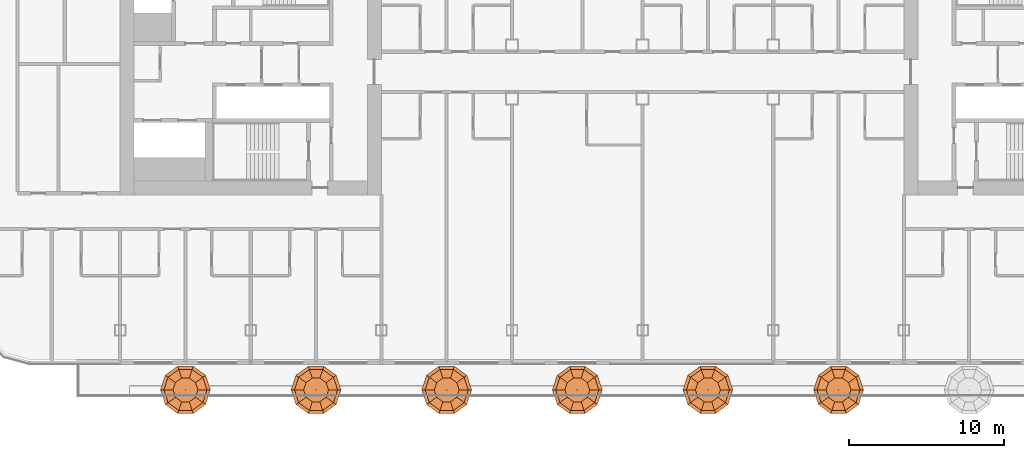
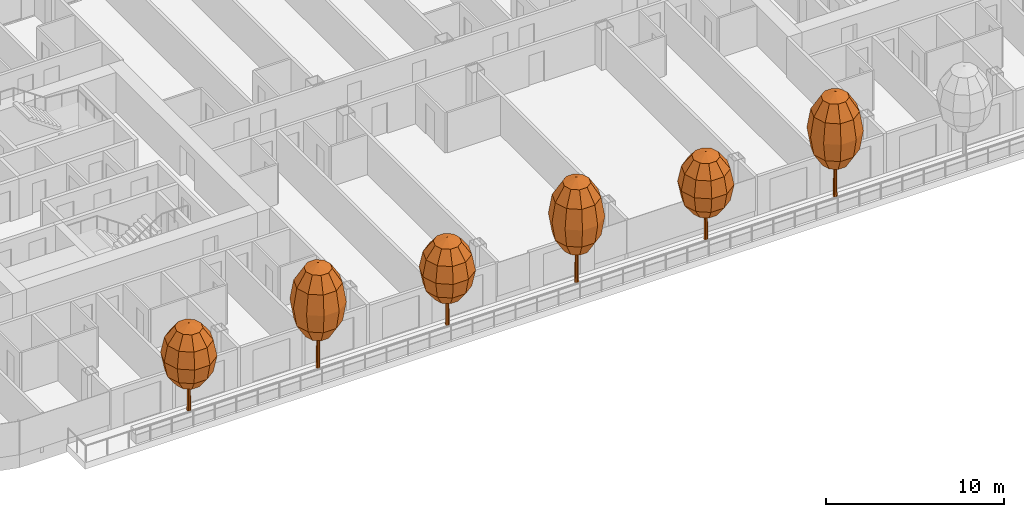
# One storey, part 30 of 32: 6 geographic elements.
"""IFC4 building model written with IfcOpenShell, lengths in metres."""

from ifc_helpers import new_model, si_unit, direction, frame, origin, place, context, subcontext, project, spatial, triangles, material, type_object, element, save


model = new_model("IFC4")

# Units and contexts
model_context = context("Model", 3, precision=1e-05, world=origin(), true_north=direction((0.0, 1.0)))
body_context = subcontext(model_context, "Body", "Model", "MODEL_VIEW")
ifc_project = project(units=[si_unit("LENGTHUNIT", "METRE"), si_unit("AREAUNIT", "SQUARE_METRE"), si_unit("VOLUMEUNIT", "CUBIC_METRE"), si_unit("PLANEANGLEUNIT", "RADIAN"), si_unit("MASSUNIT", "GRAM", prefix="KILO")], contexts=[model_context])

# Site, building, storey
site_placement = place(None, origin())
site = spatial("IfcSite", under=ifc_project, at=site_placement, CompositionType="ELEMENT")
building_placement = place(site_placement, origin())
building = spatial("IfcBuilding", under=site, at=building_placement, Name="Hakoniwa Tower and Hamabe Station Hall", CompositionType="ELEMENT")
storey_placement = place(building_placement, frame((0.0, 0.0, 150.199951171875)))
storey = spatial("IfcBuildingStorey", under=building, at=storey_placement, Name="L42", CompositionType="ELEMENT", Elevation=150.199951171875)

# Geographic elements
ifc_material_1 = material(Name="Tree foliage")
geographic_element_type_1 = type_object("IfcGeographicElementType", Name="Japanese maple 7.2 m", PredefinedType="USERDEFINED", material=ifc_material_1)
geographic_element_1_placement = place(storey_placement, frame((-21.0, -20.949951171875, 0.900146484375)))
element("IfcGeographicElement", 1, at=geographic_element_1_placement, inside=storey, type_object=geographic_element_type_1, Name="Japanese maple 7-2 m", ObjectType="TREE", PredefinedType="USERDEFINED", context=body_context, shape_type="Tessellation", body=[
    triangles([(0.125, 0.0, 0.0), (0.08837890625, 0.08837890625, 0.0), (0.0, 0.125, 0.0), (-0.08837890625, 0.08837890625, 0.0), (-0.125, 0.0, 0.0), (-0.08837890625, -0.08837890625, 0.0), (0.0, -0.125, 0.0), (0.08837890625, -0.08837890625, 0.0), (0.074951171875, 0.0, 4.348876953125), (0.052978515625, 0.052978515625, 4.348876953125), (0.0, 0.074951171875, 4.348876953125), (-0.052978515625, 0.052978515625, 4.348876953125), (-0.074951171875, 0.0, 4.348876953125), (-0.052978515625, -0.052978515625, 4.348876953125), (0.0, -0.074951171875, 4.348876953125), (0.052978515625, -0.052978515625, 4.348876953125), (0.0, 0.0, 0.0), (0.0, 0.0, 4.348876953125)], [[1, 2, 10], [1, 10, 9], [17, 2, 1], [18, 9, 10], [2, 3, 11], [2, 11, 10], [17, 3, 2], [18, 10, 11], [3, 4, 12], [3, 12, 11], [17, 4, 3], [18, 11, 12], [4, 5, 13], [4, 13, 12], [17, 5, 4], [18, 12, 13], [5, 6, 14], [5, 14, 13], [17, 6, 5], [18, 13, 14], [6, 7, 15], [6, 15, 14], [17, 7, 6], [18, 14, 15], [7, 8, 16], [7, 16, 15], [17, 8, 7], [18, 15, 16], [8, 1, 9], [8, 9, 16], [17, 1, 8], [18, 16, 9]], closed=True),
    triangles([(0.0, 0.0, 2.015869140625), (0.800048828125, 0.0, 2.36328125), (0.647216796875, 0.47021484375, 2.36328125), (0.247314453125, 0.7607421875, 2.36328125), (-0.247314453125, 0.7607421875, 2.36328125), (-0.647216796875, 0.47021484375, 2.36328125), (-0.800048828125, 0.0, 2.36328125), (-0.647216796875, -0.47021484375, 2.36328125), (-0.247314453125, -0.7607421875, 2.36328125), (0.247314453125, -0.7607421875, 2.36328125), (0.647216796875, -0.47021484375, 2.36328125), (1.385498046875, 0.0, 3.31201171875), (1.12109375, 0.814453125, 3.31201171875), (0.42822265625, 1.31787109375, 3.31201171875), (-0.42822265625, 1.31787109375, 3.31201171875), (-1.12109375, 0.814453125, 3.31201171875), (-1.385498046875, 0.0, 3.31201171875), (-1.12109375, -0.814453125, 3.31201171875), (-0.42822265625, -1.31787109375, 3.31201171875), (0.42822265625, -1.31787109375, 3.31201171875), (1.12109375, -0.814453125, 3.31201171875), (1.60009765625, 0.0, 4.60791015625), (1.29443359375, 0.9404296875, 4.60791015625), (0.494384765625, 1.521728515625, 4.60791015625), (-0.494384765625, 1.521728515625, 4.60791015625), (-1.29443359375, 0.9404296875, 4.60791015625), (-1.60009765625, 0.0, 4.60791015625), (-1.29443359375, -0.9404296875, 4.60791015625), (-0.494384765625, -1.521728515625, 4.60791015625), (0.494384765625, -1.521728515625, 4.60791015625), (1.29443359375, -0.9404296875, 4.60791015625), (1.385498046875, 0.0, 5.904052734375), (1.12109375, 0.814453125, 5.904052734375), (0.42822265625, 1.31787109375, 5.904052734375), (-0.42822265625, 1.31787109375, 5.904052734375), (-1.12109375, 0.814453125, 5.904052734375), (-1.385498046875, 0.0, 5.904052734375), (-1.12109375, -0.814453125, 5.904052734375), (-0.42822265625, -1.31787109375, 5.904052734375), (0.42822265625, -1.31787109375, 5.904052734375), (1.12109375, -0.814453125, 5.904052734375), (0.800048828125, 0.0, 6.852783203125), (0.647216796875, 0.47021484375, 6.852783203125), (0.247314453125, 0.7607421875, 6.852783203125), (-0.247314453125, 0.7607421875, 6.852783203125), (-0.647216796875, 0.47021484375, 6.852783203125), (-0.800048828125, 0.0, 6.852783203125), (-0.647216796875, -0.47021484375, 6.852783203125), (-0.247314453125, -0.7607421875, 6.852783203125), (0.247314453125, -0.7607421875, 6.852783203125), (0.647216796875, -0.47021484375, 6.852783203125), (0.0, 0.0, 7.199951171875)], [[1, 3, 2], [1, 4, 3], [1, 5, 4], [1, 6, 5], [1, 7, 6], [1, 8, 7], [1, 9, 8], [1, 10, 9], [1, 11, 10], [1, 2, 11], [2, 3, 13], [2, 13, 12], [3, 4, 14], [3, 14, 13], [4, 5, 15], [4, 15, 14], [5, 6, 16], [5, 16, 15], [6, 7, 17], [6, 17, 16], [7, 8, 18], [7, 18, 17], [8, 9, 19], [8, 19, 18], [9, 10, 20], [9, 20, 19], [10, 11, 21], [10, 21, 20], [11, 2, 12], [11, 12, 21], [12, 13, 23], [12, 23, 22], [13, 14, 24], [13, 24, 23], [14, 15, 25], [14, 25, 24], [15, 16, 26], [15, 26, 25], [16, 17, 27], [16, 27, 26], [17, 18, 28], [17, 28, 27], [18, 19, 29], [18, 29, 28], [19, 20, 30], [19, 30, 29], [20, 21, 31], [20, 31, 30], [21, 12, 22], [21, 22, 31], [22, 23, 33], [22, 33, 32], [23, 24, 34], [23, 34, 33], [24, 25, 35], [24, 35, 34], [25, 26, 36], [25, 36, 35], [26, 27, 37], [26, 37, 36], [27, 28, 38], [27, 38, 37], [28, 29, 39], [28, 39, 38], [29, 30, 40], [29, 40, 39], [30, 31, 41], [30, 41, 40], [31, 22, 32], [31, 32, 41], [32, 33, 43], [32, 43, 42], [33, 34, 44], [33, 44, 43], [34, 35, 45], [34, 45, 44], [35, 36, 46], [35, 46, 45], [36, 37, 47], [36, 47, 46], [37, 38, 48], [37, 48, 47], [38, 39, 49], [38, 49, 48], [39, 40, 50], [39, 50, 49], [40, 41, 51], [40, 51, 50], [41, 32, 42], [41, 42, 51], [52, 42, 43], [52, 43, 44], [52, 44, 45], [52, 45, 46], [52, 46, 47], [52, 47, 48], [52, 48, 49], [52, 49, 50], [52, 50, 51], [52, 51, 42]], closed=True),
])
geographic_element_2_placement = place(storey_placement, frame((-4.199951171875, -20.949951171875, 0.900146484375)))
element("IfcGeographicElement", 2, at=geographic_element_2_placement, inside=storey, type_object=geographic_element_type_1, Name="Japanese maple 7-2 m", ObjectType="TREE", PredefinedType="USERDEFINED", context=body_context, shape_type="Tessellation", body=[
    triangles([(0.125, 0.0, 0.0), (0.08837890625, 0.08837890625, 0.0), (0.0, 0.125, 0.0), (-0.08837890625, 0.08837890625, 0.0), (-0.125, 0.0, 0.0), (-0.08837890625, -0.08837890625, 0.0), (0.0, -0.125, 0.0), (0.08837890625, -0.08837890625, 0.0), (0.074951171875, 0.0, 4.348876953125), (0.052978515625, 0.052978515625, 4.348876953125), (0.0, 0.074951171875, 4.348876953125), (-0.052978515625, 0.052978515625, 4.348876953125), (-0.074951171875, 0.0, 4.348876953125), (-0.052978515625, -0.052978515625, 4.348876953125), (0.0, -0.074951171875, 4.348876953125), (0.052978515625, -0.052978515625, 4.348876953125), (0.0, 0.0, 0.0), (0.0, 0.0, 4.348876953125)], [[1, 2, 10], [1, 10, 9], [17, 2, 1], [18, 9, 10], [2, 3, 11], [2, 11, 10], [17, 3, 2], [18, 10, 11], [3, 4, 12], [3, 12, 11], [17, 4, 3], [18, 11, 12], [4, 5, 13], [4, 13, 12], [17, 5, 4], [18, 12, 13], [5, 6, 14], [5, 14, 13], [17, 6, 5], [18, 13, 14], [6, 7, 15], [6, 15, 14], [17, 7, 6], [18, 14, 15], [7, 8, 16], [7, 16, 15], [17, 8, 7], [18, 15, 16], [8, 1, 9], [8, 9, 16], [17, 1, 8], [18, 16, 9]], closed=True),
    triangles([(0.0, 0.0, 2.015869140625), (0.800048828125, 0.0, 2.36328125), (0.647216796875, 0.47021484375, 2.36328125), (0.247314453125, 0.7607421875, 2.36328125), (-0.247314453125, 0.7607421875, 2.36328125), (-0.647216796875, 0.47021484375, 2.36328125), (-0.800048828125, 0.0, 2.36328125), (-0.647216796875, -0.47021484375, 2.36328125), (-0.247314453125, -0.7607421875, 2.36328125), (0.247314453125, -0.7607421875, 2.36328125), (0.647216796875, -0.47021484375, 2.36328125), (1.385498046875, 0.0, 3.31201171875), (1.12109375, 0.814453125, 3.31201171875), (0.42822265625, 1.31787109375, 3.31201171875), (-0.42822265625, 1.31787109375, 3.31201171875), (-1.12109375, 0.814453125, 3.31201171875), (-1.385498046875, 0.0, 3.31201171875), (-1.12109375, -0.814453125, 3.31201171875), (-0.42822265625, -1.31787109375, 3.31201171875), (0.42822265625, -1.31787109375, 3.31201171875), (1.12109375, -0.814453125, 3.31201171875), (1.60009765625, 0.0, 4.60791015625), (1.29443359375, 0.9404296875, 4.60791015625), (0.494384765625, 1.521728515625, 4.60791015625), (-0.494384765625, 1.521728515625, 4.60791015625), (-1.29443359375, 0.9404296875, 4.60791015625), (-1.60009765625, 0.0, 4.60791015625), (-1.29443359375, -0.9404296875, 4.60791015625), (-0.494384765625, -1.521728515625, 4.60791015625), (0.494384765625, -1.521728515625, 4.60791015625), (1.29443359375, -0.9404296875, 4.60791015625), (1.385498046875, 0.0, 5.904052734375), (1.12109375, 0.814453125, 5.904052734375), (0.42822265625, 1.31787109375, 5.904052734375), (-0.42822265625, 1.31787109375, 5.904052734375), (-1.12109375, 0.814453125, 5.904052734375), (-1.385498046875, 0.0, 5.904052734375), (-1.12109375, -0.814453125, 5.904052734375), (-0.42822265625, -1.31787109375, 5.904052734375), (0.42822265625, -1.31787109375, 5.904052734375), (1.12109375, -0.814453125, 5.904052734375), (0.800048828125, 0.0, 6.852783203125), (0.647216796875, 0.47021484375, 6.852783203125), (0.247314453125, 0.7607421875, 6.852783203125), (-0.247314453125, 0.7607421875, 6.852783203125), (-0.647216796875, 0.47021484375, 6.852783203125), (-0.800048828125, 0.0, 6.852783203125), (-0.647216796875, -0.47021484375, 6.852783203125), (-0.247314453125, -0.7607421875, 6.852783203125), (0.247314453125, -0.7607421875, 6.852783203125), (0.647216796875, -0.47021484375, 6.852783203125), (0.0, 0.0, 7.199951171875)], [[1, 3, 2], [1, 4, 3], [1, 5, 4], [1, 6, 5], [1, 7, 6], [1, 8, 7], [1, 9, 8], [1, 10, 9], [1, 11, 10], [1, 2, 11], [2, 3, 13], [2, 13, 12], [3, 4, 14], [3, 14, 13], [4, 5, 15], [4, 15, 14], [5, 6, 16], [5, 16, 15], [6, 7, 17], [6, 17, 16], [7, 8, 18], [7, 18, 17], [8, 9, 19], [8, 19, 18], [9, 10, 20], [9, 20, 19], [10, 11, 21], [10, 21, 20], [11, 2, 12], [11, 12, 21], [12, 13, 23], [12, 23, 22], [13, 14, 24], [13, 24, 23], [14, 15, 25], [14, 25, 24], [15, 16, 26], [15, 26, 25], [16, 17, 27], [16, 27, 26], [17, 18, 28], [17, 28, 27], [18, 19, 29], [18, 29, 28], [19, 20, 30], [19, 30, 29], [20, 21, 31], [20, 31, 30], [21, 12, 22], [21, 22, 31], [22, 23, 33], [22, 33, 32], [23, 24, 34], [23, 34, 33], [24, 25, 35], [24, 35, 34], [25, 26, 36], [25, 36, 35], [26, 27, 37], [26, 37, 36], [27, 28, 38], [27, 38, 37], [28, 29, 39], [28, 39, 38], [29, 30, 40], [29, 40, 39], [30, 31, 41], [30, 41, 40], [31, 22, 32], [31, 32, 41], [32, 33, 43], [32, 43, 42], [33, 34, 44], [33, 44, 43], [34, 35, 45], [34, 45, 44], [35, 36, 46], [35, 46, 45], [36, 37, 47], [36, 47, 46], [37, 38, 48], [37, 48, 47], [38, 39, 49], [38, 49, 48], [39, 40, 50], [39, 50, 49], [40, 41, 51], [40, 51, 50], [41, 32, 42], [41, 42, 51], [52, 42, 43], [52, 43, 44], [52, 44, 45], [52, 45, 46], [52, 46, 47], [52, 47, 48], [52, 48, 49], [52, 49, 50], [52, 50, 51], [52, 51, 42]], closed=True),
])
geographic_element_3_placement = place(storey_placement, frame((12.60009765625, -20.949951171875, 0.900146484375)))
element("IfcGeographicElement", 3, at=geographic_element_3_placement, inside=storey, type_object=geographic_element_type_1, Name="Japanese maple 7-2 m", ObjectType="TREE", PredefinedType="USERDEFINED", context=body_context, shape_type="Tessellation", body=[
    triangles([(0.125, 0.0, 0.0), (0.08837890625, 0.08837890625, 0.0), (0.0, 0.125, 0.0), (-0.08837890625, 0.08837890625, 0.0), (-0.125, 0.0, 0.0), (-0.08837890625, -0.08837890625, 0.0), (0.0, -0.125, 0.0), (0.08837890625, -0.08837890625, 0.0), (0.074951171875, 0.0, 4.348876953125), (0.052978515625, 0.052978515625, 4.348876953125), (0.0, 0.074951171875, 4.348876953125), (-0.052978515625, 0.052978515625, 4.348876953125), (-0.074951171875, 0.0, 4.348876953125), (-0.052978515625, -0.052978515625, 4.348876953125), (0.0, -0.074951171875, 4.348876953125), (0.052978515625, -0.052978515625, 4.348876953125), (0.0, 0.0, 0.0), (0.0, 0.0, 4.348876953125)], [[1, 2, 10], [1, 10, 9], [17, 2, 1], [18, 9, 10], [2, 3, 11], [2, 11, 10], [17, 3, 2], [18, 10, 11], [3, 4, 12], [3, 12, 11], [17, 4, 3], [18, 11, 12], [4, 5, 13], [4, 13, 12], [17, 5, 4], [18, 12, 13], [5, 6, 14], [5, 14, 13], [17, 6, 5], [18, 13, 14], [6, 7, 15], [6, 15, 14], [17, 7, 6], [18, 14, 15], [7, 8, 16], [7, 16, 15], [17, 8, 7], [18, 15, 16], [8, 1, 9], [8, 9, 16], [17, 1, 8], [18, 16, 9]], closed=True),
    triangles([(0.0, 0.0, 2.015869140625), (0.800048828125, 0.0, 2.36328125), (0.647216796875, 0.47021484375, 2.36328125), (0.247314453125, 0.7607421875, 2.36328125), (-0.247314453125, 0.7607421875, 2.36328125), (-0.647216796875, 0.47021484375, 2.36328125), (-0.800048828125, 0.0, 2.36328125), (-0.647216796875, -0.47021484375, 2.36328125), (-0.247314453125, -0.7607421875, 2.36328125), (0.247314453125, -0.7607421875, 2.36328125), (0.647216796875, -0.47021484375, 2.36328125), (1.385498046875, 0.0, 3.31201171875), (1.12109375, 0.814453125, 3.31201171875), (0.42822265625, 1.31787109375, 3.31201171875), (-0.42822265625, 1.31787109375, 3.31201171875), (-1.12109375, 0.814453125, 3.31201171875), (-1.385498046875, 0.0, 3.31201171875), (-1.12109375, -0.814453125, 3.31201171875), (-0.42822265625, -1.31787109375, 3.31201171875), (0.42822265625, -1.31787109375, 3.31201171875), (1.12109375, -0.814453125, 3.31201171875), (1.60009765625, 0.0, 4.60791015625), (1.29443359375, 0.9404296875, 4.60791015625), (0.494384765625, 1.521728515625, 4.60791015625), (-0.494384765625, 1.521728515625, 4.60791015625), (-1.29443359375, 0.9404296875, 4.60791015625), (-1.60009765625, 0.0, 4.60791015625), (-1.29443359375, -0.9404296875, 4.60791015625), (-0.494384765625, -1.521728515625, 4.60791015625), (0.494384765625, -1.521728515625, 4.60791015625), (1.29443359375, -0.9404296875, 4.60791015625), (1.385498046875, 0.0, 5.904052734375), (1.12109375, 0.814453125, 5.904052734375), (0.42822265625, 1.31787109375, 5.904052734375), (-0.42822265625, 1.31787109375, 5.904052734375), (-1.12109375, 0.814453125, 5.904052734375), (-1.385498046875, 0.0, 5.904052734375), (-1.12109375, -0.814453125, 5.904052734375), (-0.42822265625, -1.31787109375, 5.904052734375), (0.42822265625, -1.31787109375, 5.904052734375), (1.12109375, -0.814453125, 5.904052734375), (0.800048828125, 0.0, 6.852783203125), (0.647216796875, 0.47021484375, 6.852783203125), (0.247314453125, 0.7607421875, 6.852783203125), (-0.247314453125, 0.7607421875, 6.852783203125), (-0.647216796875, 0.47021484375, 6.852783203125), (-0.800048828125, 0.0, 6.852783203125), (-0.647216796875, -0.47021484375, 6.852783203125), (-0.247314453125, -0.7607421875, 6.852783203125), (0.247314453125, -0.7607421875, 6.852783203125), (0.647216796875, -0.47021484375, 6.852783203125), (0.0, 0.0, 7.199951171875)], [[1, 3, 2], [1, 4, 3], [1, 5, 4], [1, 6, 5], [1, 7, 6], [1, 8, 7], [1, 9, 8], [1, 10, 9], [1, 11, 10], [1, 2, 11], [2, 3, 13], [2, 13, 12], [3, 4, 14], [3, 14, 13], [4, 5, 15], [4, 15, 14], [5, 6, 16], [5, 16, 15], [6, 7, 17], [6, 17, 16], [7, 8, 18], [7, 18, 17], [8, 9, 19], [8, 19, 18], [9, 10, 20], [9, 20, 19], [10, 11, 21], [10, 21, 20], [11, 2, 12], [11, 12, 21], [12, 13, 23], [12, 23, 22], [13, 14, 24], [13, 24, 23], [14, 15, 25], [14, 25, 24], [15, 16, 26], [15, 26, 25], [16, 17, 27], [16, 27, 26], [17, 18, 28], [17, 28, 27], [18, 19, 29], [18, 29, 28], [19, 20, 30], [19, 30, 29], [20, 21, 31], [20, 31, 30], [21, 12, 22], [21, 22, 31], [22, 23, 33], [22, 33, 32], [23, 24, 34], [23, 34, 33], [24, 25, 35], [24, 35, 34], [25, 26, 36], [25, 36, 35], [26, 27, 37], [26, 37, 36], [27, 28, 38], [27, 38, 37], [28, 29, 39], [28, 39, 38], [29, 30, 40], [29, 40, 39], [30, 31, 41], [30, 41, 40], [31, 22, 32], [31, 32, 41], [32, 33, 43], [32, 43, 42], [33, 34, 44], [33, 44, 43], [34, 35, 45], [34, 45, 44], [35, 36, 46], [35, 46, 45], [36, 37, 47], [36, 47, 46], [37, 38, 48], [37, 48, 47], [38, 39, 49], [38, 49, 48], [39, 40, 50], [39, 50, 49], [40, 41, 51], [40, 51, 50], [41, 32, 42], [41, 42, 51], [52, 42, 43], [52, 43, 44], [52, 44, 45], [52, 45, 46], [52, 46, 47], [52, 47, 48], [52, 48, 49], [52, 49, 50], [52, 50, 51], [52, 51, 42]], closed=True),
])
ifc_material_2 = material(Name="Tree foliage")
geographic_element_type_2 = type_object("IfcGeographicElementType", Name="Osmanthus 6.0 m", PredefinedType="USERDEFINED", material=ifc_material_2)
geographic_element_4_placement = place(storey_placement, frame((-29.39990234375, -20.949951171875, 0.900146484375)))
element("IfcGeographicElement", 4, at=geographic_element_4_placement, inside=storey, type_object=geographic_element_type_2, Name="Osmanthus 6-0 m", ObjectType="TREE", PredefinedType="USERDEFINED", context=body_context, shape_type="Tessellation", body=[
    triangles([(0.125, 0.0, 0.0), (0.08837890625, 0.08837890625, 0.0), (0.0, 0.125, 0.0), (-0.08837890625, 0.08837890625, 0.0), (-0.125, 0.0, 0.0), (-0.08837890625, -0.08837890625, 0.0), (0.0, -0.125, 0.0), (0.08837890625, -0.08837890625, 0.0), (0.074951171875, 0.0, 3.6240234375), (0.052978515625, 0.052978515625, 3.6240234375), (0.0, 0.074951171875, 3.6240234375), (-0.052978515625, 0.052978515625, 3.6240234375), (-0.074951171875, 0.0, 3.6240234375), (-0.052978515625, -0.052978515625, 3.6240234375), (0.0, -0.074951171875, 3.6240234375), (0.052978515625, -0.052978515625, 3.6240234375), (0.0, 0.0, 0.0), (0.0, 0.0, 3.6240234375)], [[1, 2, 10], [1, 10, 9], [17, 2, 1], [18, 9, 10], [2, 3, 11], [2, 11, 10], [17, 3, 2], [18, 10, 11], [3, 4, 12], [3, 12, 11], [17, 4, 3], [18, 11, 12], [4, 5, 13], [4, 13, 12], [17, 5, 4], [18, 12, 13], [5, 6, 14], [5, 14, 13], [17, 6, 5], [18, 13, 14], [6, 7, 15], [6, 15, 14], [17, 7, 6], [18, 14, 15], [7, 8, 16], [7, 16, 15], [17, 8, 7], [18, 15, 16], [8, 1, 9], [8, 9, 16], [17, 1, 8], [18, 16, 9]], closed=True),
    triangles([(0.0, 0.0, 1.679931640625), (0.800048828125, 0.0, 1.969482421875), (0.647216796875, 0.47021484375, 1.969482421875), (0.247314453125, 0.7607421875, 1.969482421875), (-0.247314453125, 0.7607421875, 1.969482421875), (-0.647216796875, 0.47021484375, 1.969482421875), (-0.800048828125, 0.0, 1.969482421875), (-0.647216796875, -0.47021484375, 1.969482421875), (-0.247314453125, -0.7607421875, 1.969482421875), (0.247314453125, -0.7607421875, 1.969482421875), (0.647216796875, -0.47021484375, 1.969482421875), (1.385498046875, 0.0, 2.760009765625), (1.12109375, 0.814453125, 2.760009765625), (0.42822265625, 1.31787109375, 2.760009765625), (-0.42822265625, 1.31787109375, 2.760009765625), (-1.12109375, 0.814453125, 2.760009765625), (-1.385498046875, 0.0, 2.760009765625), (-1.12109375, -0.814453125, 2.760009765625), (-0.42822265625, -1.31787109375, 2.760009765625), (0.42822265625, -1.31787109375, 2.760009765625), (1.12109375, -0.814453125, 2.760009765625), (1.60009765625, 0.0, 3.840087890625), (1.29443359375, 0.9404296875, 3.840087890625), (0.494384765625, 1.521728515625, 3.840087890625), (-0.494384765625, 1.521728515625, 3.840087890625), (-1.29443359375, 0.9404296875, 3.840087890625), (-1.60009765625, 0.0, 3.840087890625), (-1.29443359375, -0.9404296875, 3.840087890625), (-0.494384765625, -1.521728515625, 3.840087890625), (0.494384765625, -1.521728515625, 3.840087890625), (1.29443359375, -0.9404296875, 3.840087890625), (1.385498046875, 0.0, 4.919921875), (1.12109375, 0.814453125, 4.919921875), (0.42822265625, 1.31787109375, 4.919921875), (-0.42822265625, 1.31787109375, 4.919921875), (-1.12109375, 0.814453125, 4.919921875), (-1.385498046875, 0.0, 4.919921875), (-1.12109375, -0.814453125, 4.919921875), (-0.42822265625, -1.31787109375, 4.919921875), (0.42822265625, -1.31787109375, 4.919921875), (1.12109375, -0.814453125, 4.919921875), (0.800048828125, 0.0, 5.710693359375), (0.647216796875, 0.47021484375, 5.710693359375), (0.247314453125, 0.7607421875, 5.710693359375), (-0.247314453125, 0.7607421875, 5.710693359375), (-0.647216796875, 0.47021484375, 5.710693359375), (-0.800048828125, 0.0, 5.710693359375), (-0.647216796875, -0.47021484375, 5.710693359375), (-0.247314453125, -0.7607421875, 5.710693359375), (0.247314453125, -0.7607421875, 5.710693359375), (0.647216796875, -0.47021484375, 5.710693359375), (0.0, 0.0, 6.0)], [[1, 3, 2], [1, 4, 3], [1, 5, 4], [1, 6, 5], [1, 7, 6], [1, 8, 7], [1, 9, 8], [1, 10, 9], [1, 11, 10], [1, 2, 11], [2, 3, 13], [2, 13, 12], [3, 4, 14], [3, 14, 13], [4, 5, 15], [4, 15, 14], [5, 6, 16], [5, 16, 15], [6, 7, 17], [6, 17, 16], [7, 8, 18], [7, 18, 17], [8, 9, 19], [8, 19, 18], [9, 10, 20], [9, 20, 19], [10, 11, 21], [10, 21, 20], [11, 2, 12], [11, 12, 21], [12, 13, 23], [12, 23, 22], [13, 14, 24], [13, 24, 23], [14, 15, 25], [14, 25, 24], [15, 16, 26], [15, 26, 25], [16, 17, 27], [16, 27, 26], [17, 18, 28], [17, 28, 27], [18, 19, 29], [18, 29, 28], [19, 20, 30], [19, 30, 29], [20, 21, 31], [20, 31, 30], [21, 12, 22], [21, 22, 31], [22, 23, 33], [22, 33, 32], [23, 24, 34], [23, 34, 33], [24, 25, 35], [24, 35, 34], [25, 26, 36], [25, 36, 35], [26, 27, 37], [26, 37, 36], [27, 28, 38], [27, 38, 37], [28, 29, 39], [28, 39, 38], [29, 30, 40], [29, 40, 39], [30, 31, 41], [30, 41, 40], [31, 22, 32], [31, 32, 41], [32, 33, 43], [32, 43, 42], [33, 34, 44], [33, 44, 43], [34, 35, 45], [34, 45, 44], [35, 36, 46], [35, 46, 45], [36, 37, 47], [36, 47, 46], [37, 38, 48], [37, 48, 47], [38, 39, 49], [38, 49, 48], [39, 40, 50], [39, 50, 49], [40, 41, 51], [40, 51, 50], [41, 32, 42], [41, 42, 51], [52, 42, 43], [52, 43, 44], [52, 44, 45], [52, 45, 46], [52, 46, 47], [52, 47, 48], [52, 48, 49], [52, 49, 50], [52, 50, 51], [52, 51, 42]], closed=True),
])
geographic_element_5_placement = place(storey_placement, frame((-12.60009765625, -20.949951171875, 0.900146484375)))
element("IfcGeographicElement", 5, at=geographic_element_5_placement, inside=storey, type_object=geographic_element_type_2, Name="Osmanthus 6-0 m", ObjectType="TREE", PredefinedType="USERDEFINED", context=body_context, shape_type="Tessellation", body=[
    triangles([(0.125, 0.0, 0.0), (0.08837890625, 0.08837890625, 0.0), (0.0, 0.125, 0.0), (-0.08837890625, 0.08837890625, 0.0), (-0.125, 0.0, 0.0), (-0.08837890625, -0.08837890625, 0.0), (0.0, -0.125, 0.0), (0.08837890625, -0.08837890625, 0.0), (0.074951171875, 0.0, 3.6240234375), (0.052978515625, 0.052978515625, 3.6240234375), (0.0, 0.074951171875, 3.6240234375), (-0.052978515625, 0.052978515625, 3.6240234375), (-0.074951171875, 0.0, 3.6240234375), (-0.052978515625, -0.052978515625, 3.6240234375), (0.0, -0.074951171875, 3.6240234375), (0.052978515625, -0.052978515625, 3.6240234375), (0.0, 0.0, 0.0), (0.0, 0.0, 3.6240234375)], [[1, 2, 10], [1, 10, 9], [17, 2, 1], [18, 9, 10], [2, 3, 11], [2, 11, 10], [17, 3, 2], [18, 10, 11], [3, 4, 12], [3, 12, 11], [17, 4, 3], [18, 11, 12], [4, 5, 13], [4, 13, 12], [17, 5, 4], [18, 12, 13], [5, 6, 14], [5, 14, 13], [17, 6, 5], [18, 13, 14], [6, 7, 15], [6, 15, 14], [17, 7, 6], [18, 14, 15], [7, 8, 16], [7, 16, 15], [17, 8, 7], [18, 15, 16], [8, 1, 9], [8, 9, 16], [17, 1, 8], [18, 16, 9]], closed=True),
    triangles([(0.0, 0.0, 1.679931640625), (0.800048828125, 0.0, 1.969482421875), (0.647216796875, 0.47021484375, 1.969482421875), (0.247314453125, 0.7607421875, 1.969482421875), (-0.247314453125, 0.7607421875, 1.969482421875), (-0.647216796875, 0.47021484375, 1.969482421875), (-0.800048828125, 0.0, 1.969482421875), (-0.647216796875, -0.47021484375, 1.969482421875), (-0.247314453125, -0.7607421875, 1.969482421875), (0.247314453125, -0.7607421875, 1.969482421875), (0.647216796875, -0.47021484375, 1.969482421875), (1.385498046875, 0.0, 2.760009765625), (1.12109375, 0.814453125, 2.760009765625), (0.42822265625, 1.31787109375, 2.760009765625), (-0.42822265625, 1.31787109375, 2.760009765625), (-1.12109375, 0.814453125, 2.760009765625), (-1.385498046875, 0.0, 2.760009765625), (-1.12109375, -0.814453125, 2.760009765625), (-0.42822265625, -1.31787109375, 2.760009765625), (0.42822265625, -1.31787109375, 2.760009765625), (1.12109375, -0.814453125, 2.760009765625), (1.60009765625, 0.0, 3.840087890625), (1.29443359375, 0.9404296875, 3.840087890625), (0.494384765625, 1.521728515625, 3.840087890625), (-0.494384765625, 1.521728515625, 3.840087890625), (-1.29443359375, 0.9404296875, 3.840087890625), (-1.60009765625, 0.0, 3.840087890625), (-1.29443359375, -0.9404296875, 3.840087890625), (-0.494384765625, -1.521728515625, 3.840087890625), (0.494384765625, -1.521728515625, 3.840087890625), (1.29443359375, -0.9404296875, 3.840087890625), (1.385498046875, 0.0, 4.919921875), (1.12109375, 0.814453125, 4.919921875), (0.42822265625, 1.31787109375, 4.919921875), (-0.42822265625, 1.31787109375, 4.919921875), (-1.12109375, 0.814453125, 4.919921875), (-1.385498046875, 0.0, 4.919921875), (-1.12109375, -0.814453125, 4.919921875), (-0.42822265625, -1.31787109375, 4.919921875), (0.42822265625, -1.31787109375, 4.919921875), (1.12109375, -0.814453125, 4.919921875), (0.800048828125, 0.0, 5.710693359375), (0.647216796875, 0.47021484375, 5.710693359375), (0.247314453125, 0.7607421875, 5.710693359375), (-0.247314453125, 0.7607421875, 5.710693359375), (-0.647216796875, 0.47021484375, 5.710693359375), (-0.800048828125, 0.0, 5.710693359375), (-0.647216796875, -0.47021484375, 5.710693359375), (-0.247314453125, -0.7607421875, 5.710693359375), (0.247314453125, -0.7607421875, 5.710693359375), (0.647216796875, -0.47021484375, 5.710693359375), (0.0, 0.0, 6.0)], [[1, 3, 2], [1, 4, 3], [1, 5, 4], [1, 6, 5], [1, 7, 6], [1, 8, 7], [1, 9, 8], [1, 10, 9], [1, 11, 10], [1, 2, 11], [2, 3, 13], [2, 13, 12], [3, 4, 14], [3, 14, 13], [4, 5, 15], [4, 15, 14], [5, 6, 16], [5, 16, 15], [6, 7, 17], [6, 17, 16], [7, 8, 18], [7, 18, 17], [8, 9, 19], [8, 19, 18], [9, 10, 20], [9, 20, 19], [10, 11, 21], [10, 21, 20], [11, 2, 12], [11, 12, 21], [12, 13, 23], [12, 23, 22], [13, 14, 24], [13, 24, 23], [14, 15, 25], [14, 25, 24], [15, 16, 26], [15, 26, 25], [16, 17, 27], [16, 27, 26], [17, 18, 28], [17, 28, 27], [18, 19, 29], [18, 29, 28], [19, 20, 30], [19, 30, 29], [20, 21, 31], [20, 31, 30], [21, 12, 22], [21, 22, 31], [22, 23, 33], [22, 33, 32], [23, 24, 34], [23, 34, 33], [24, 25, 35], [24, 35, 34], [25, 26, 36], [25, 36, 35], [26, 27, 37], [26, 37, 36], [27, 28, 38], [27, 38, 37], [28, 29, 39], [28, 39, 38], [29, 30, 40], [29, 40, 39], [30, 31, 41], [30, 41, 40], [31, 22, 32], [31, 32, 41], [32, 33, 43], [32, 43, 42], [33, 34, 44], [33, 44, 43], [34, 35, 45], [34, 45, 44], [35, 36, 46], [35, 46, 45], [36, 37, 47], [36, 47, 46], [37, 38, 48], [37, 48, 47], [38, 39, 49], [38, 49, 48], [39, 40, 50], [39, 50, 49], [40, 41, 51], [40, 51, 50], [41, 32, 42], [41, 42, 51], [52, 42, 43], [52, 43, 44], [52, 44, 45], [52, 45, 46], [52, 46, 47], [52, 47, 48], [52, 48, 49], [52, 49, 50], [52, 50, 51], [52, 51, 42]], closed=True),
])
geographic_element_6_placement = place(storey_placement, frame((4.199951171875, -20.949951171875, 0.900146484375)))
element("IfcGeographicElement", 6, at=geographic_element_6_placement, inside=storey, type_object=geographic_element_type_2, Name="Osmanthus 6-0 m", ObjectType="TREE", PredefinedType="USERDEFINED", context=body_context, shape_type="Tessellation", body=[
    triangles([(0.125, 0.0, 0.0), (0.08837890625, 0.08837890625, 0.0), (0.0, 0.125, 0.0), (-0.08837890625, 0.08837890625, 0.0), (-0.125, 0.0, 0.0), (-0.08837890625, -0.08837890625, 0.0), (0.0, -0.125, 0.0), (0.08837890625, -0.08837890625, 0.0), (0.074951171875, 0.0, 3.6240234375), (0.052978515625, 0.052978515625, 3.6240234375), (0.0, 0.074951171875, 3.6240234375), (-0.052978515625, 0.052978515625, 3.6240234375), (-0.074951171875, 0.0, 3.6240234375), (-0.052978515625, -0.052978515625, 3.6240234375), (0.0, -0.074951171875, 3.6240234375), (0.052978515625, -0.052978515625, 3.6240234375), (0.0, 0.0, 0.0), (0.0, 0.0, 3.6240234375)], [[1, 2, 10], [1, 10, 9], [17, 2, 1], [18, 9, 10], [2, 3, 11], [2, 11, 10], [17, 3, 2], [18, 10, 11], [3, 4, 12], [3, 12, 11], [17, 4, 3], [18, 11, 12], [4, 5, 13], [4, 13, 12], [17, 5, 4], [18, 12, 13], [5, 6, 14], [5, 14, 13], [17, 6, 5], [18, 13, 14], [6, 7, 15], [6, 15, 14], [17, 7, 6], [18, 14, 15], [7, 8, 16], [7, 16, 15], [17, 8, 7], [18, 15, 16], [8, 1, 9], [8, 9, 16], [17, 1, 8], [18, 16, 9]], closed=True),
    triangles([(0.0, 0.0, 1.679931640625), (0.800048828125, 0.0, 1.969482421875), (0.647216796875, 0.47021484375, 1.969482421875), (0.247314453125, 0.7607421875, 1.969482421875), (-0.247314453125, 0.7607421875, 1.969482421875), (-0.647216796875, 0.47021484375, 1.969482421875), (-0.800048828125, 0.0, 1.969482421875), (-0.647216796875, -0.47021484375, 1.969482421875), (-0.247314453125, -0.7607421875, 1.969482421875), (0.247314453125, -0.7607421875, 1.969482421875), (0.647216796875, -0.47021484375, 1.969482421875), (1.385498046875, 0.0, 2.760009765625), (1.12109375, 0.814453125, 2.760009765625), (0.42822265625, 1.31787109375, 2.760009765625), (-0.42822265625, 1.31787109375, 2.760009765625), (-1.12109375, 0.814453125, 2.760009765625), (-1.385498046875, 0.0, 2.760009765625), (-1.12109375, -0.814453125, 2.760009765625), (-0.42822265625, -1.31787109375, 2.760009765625), (0.42822265625, -1.31787109375, 2.760009765625), (1.12109375, -0.814453125, 2.760009765625), (1.60009765625, 0.0, 3.840087890625), (1.29443359375, 0.9404296875, 3.840087890625), (0.494384765625, 1.521728515625, 3.840087890625), (-0.494384765625, 1.521728515625, 3.840087890625), (-1.29443359375, 0.9404296875, 3.840087890625), (-1.60009765625, 0.0, 3.840087890625), (-1.29443359375, -0.9404296875, 3.840087890625), (-0.494384765625, -1.521728515625, 3.840087890625), (0.494384765625, -1.521728515625, 3.840087890625), (1.29443359375, -0.9404296875, 3.840087890625), (1.385498046875, 0.0, 4.919921875), (1.12109375, 0.814453125, 4.919921875), (0.42822265625, 1.31787109375, 4.919921875), (-0.42822265625, 1.31787109375, 4.919921875), (-1.12109375, 0.814453125, 4.919921875), (-1.385498046875, 0.0, 4.919921875), (-1.12109375, -0.814453125, 4.919921875), (-0.42822265625, -1.31787109375, 4.919921875), (0.42822265625, -1.31787109375, 4.919921875), (1.12109375, -0.814453125, 4.919921875), (0.800048828125, 0.0, 5.710693359375), (0.647216796875, 0.47021484375, 5.710693359375), (0.247314453125, 0.7607421875, 5.710693359375), (-0.247314453125, 0.7607421875, 5.710693359375), (-0.647216796875, 0.47021484375, 5.710693359375), (-0.800048828125, 0.0, 5.710693359375), (-0.647216796875, -0.47021484375, 5.710693359375), (-0.247314453125, -0.7607421875, 5.710693359375), (0.247314453125, -0.7607421875, 5.710693359375), (0.647216796875, -0.47021484375, 5.710693359375), (0.0, 0.0, 6.0)], [[1, 3, 2], [1, 4, 3], [1, 5, 4], [1, 6, 5], [1, 7, 6], [1, 8, 7], [1, 9, 8], [1, 10, 9], [1, 11, 10], [1, 2, 11], [2, 3, 13], [2, 13, 12], [3, 4, 14], [3, 14, 13], [4, 5, 15], [4, 15, 14], [5, 6, 16], [5, 16, 15], [6, 7, 17], [6, 17, 16], [7, 8, 18], [7, 18, 17], [8, 9, 19], [8, 19, 18], [9, 10, 20], [9, 20, 19], [10, 11, 21], [10, 21, 20], [11, 2, 12], [11, 12, 21], [12, 13, 23], [12, 23, 22], [13, 14, 24], [13, 24, 23], [14, 15, 25], [14, 25, 24], [15, 16, 26], [15, 26, 25], [16, 17, 27], [16, 27, 26], [17, 18, 28], [17, 28, 27], [18, 19, 29], [18, 29, 28], [19, 20, 30], [19, 30, 29], [20, 21, 31], [20, 31, 30], [21, 12, 22], [21, 22, 31], [22, 23, 33], [22, 33, 32], [23, 24, 34], [23, 34, 33], [24, 25, 35], [24, 35, 34], [25, 26, 36], [25, 36, 35], [26, 27, 37], [26, 37, 36], [27, 28, 38], [27, 38, 37], [28, 29, 39], [28, 39, 38], [29, 30, 40], [29, 40, 39], [30, 31, 41], [30, 41, 40], [31, 22, 32], [31, 32, 41], [32, 33, 43], [32, 43, 42], [33, 34, 44], [33, 44, 43], [34, 35, 45], [34, 45, 44], [35, 36, 46], [35, 46, 45], [36, 37, 47], [36, 47, 46], [37, 38, 48], [37, 48, 47], [38, 39, 49], [38, 49, 48], [39, 40, 50], [39, 50, 49], [40, 41, 51], [40, 51, 50], [41, 32, 42], [41, 42, 51], [52, 42, 43], [52, 43, 44], [52, 44, 45], [52, 45, 46], [52, 46, 47], [52, 47, 48], [52, 48, 49], [52, 49, 50], [52, 50, 51], [52, 51, 42]], closed=True),
])

save(model, "model.ifc")
